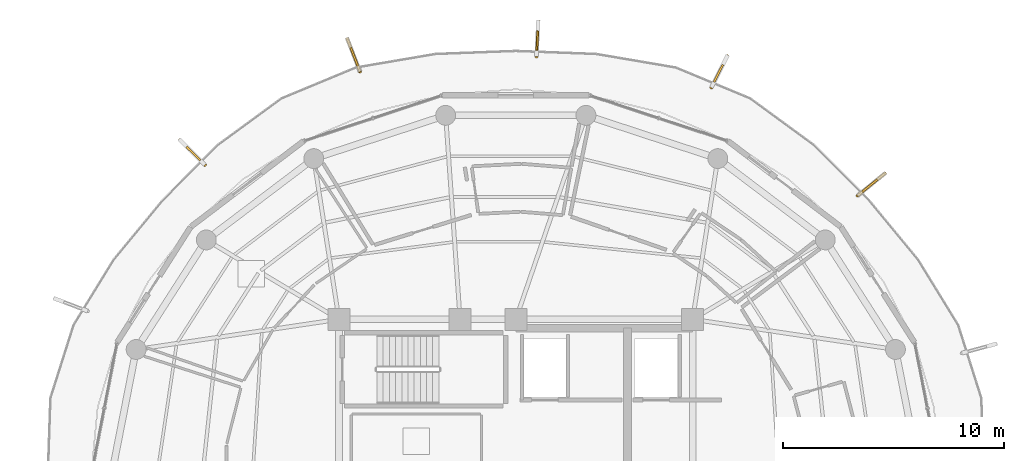
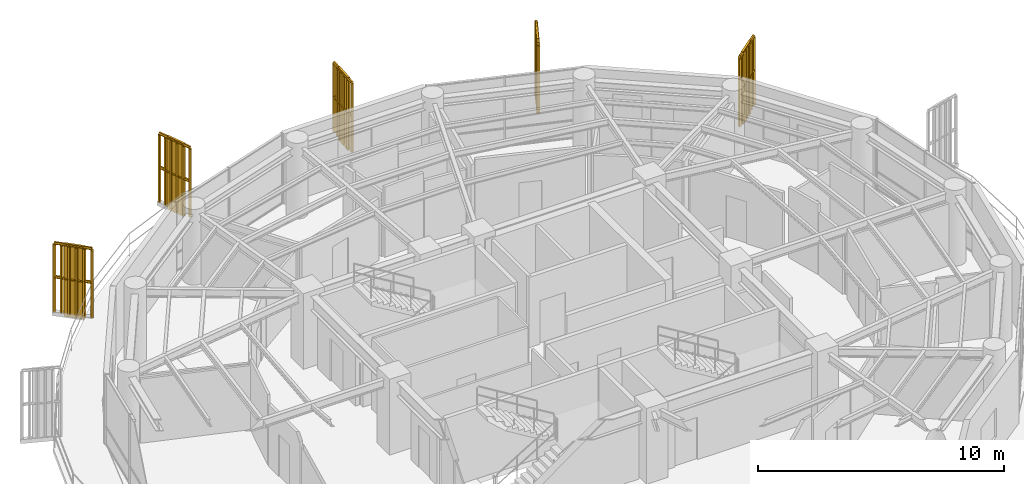
# One storey, part 23 of 23: 5 railings, 5 shading devices.
"""IFC4 building model written with IfcOpenShell, lengths in metres."""

from ifc_helpers import new_model, si_unit, direction, frame, origin, origin_2d, place, context, subcontext, project, spatial, polyline, rectangle, outline, extrude, source, transform, mapped, material, type_object, element, save


model = new_model("IFC4")

# Units and contexts
model_context = context("Model", 3, precision=1e-05, world=origin(), true_north=direction((0.0, 1.0)))
body_context = subcontext(model_context, "Body", "Model", "MODEL_VIEW")
ifc_project = project(units=[si_unit("LENGTHUNIT", "METRE"), si_unit("AREAUNIT", "SQUARE_METRE"), si_unit("VOLUMEUNIT", "CUBIC_METRE"), si_unit("PLANEANGLEUNIT", "RADIAN"), si_unit("MASSUNIT", "GRAM", prefix="KILO")], contexts=[model_context])

# Site, building, storey
site_placement = place(None, origin())
site = spatial("IfcSite", under=ifc_project, at=site_placement, CompositionType="ELEMENT")
building_placement = place(site_placement, origin())
building = spatial("IfcBuilding", under=site, at=building_placement, Name="Kelanora Arch Commons", CompositionType="ELEMENT")
storey_placement = place(building_placement, frame((0.0, 0.0, 256.199951171875)))
storey = spatial("IfcBuildingStorey", under=building, at=storey_placement, Name="L65", CompositionType="ELEMENT", Elevation=256.199951171875)

# Railings
ifc_material_1 = material(Name="Anodised bronze vertical shading fin rib assembly")
railing_type = type_object("IfcRailingType", Name="RAIL-FIN-BRZ", PredefinedType="BALUSTRADE", material=ifc_material_1)
railing_1_placement = place(storey_placement, frame((89.461181640625, 70.59326171875, -0.02001953125)))
element("IfcRailing", 1, at=railing_1_placement, inside=storey, type_object=railing_type, Name="Sweeping Bronze Vertical Fin Blade L65-03", PredefinedType="BALUSTRADE", context=body_context, shape_type="SweptSolid", body=[
    extrude(outline(polyline([(0.06982421875, 0.0), (0.034912109375, 0.060546875), (-0.034912109375, 0.060546875), (-0.06982421875, 0.0), (-0.034912109375, -0.060546875), (0.034912109375, -0.060546875), (0.06982421875, 0.0)])), frame((0.0, 0.0, 3.419921875), z_axis=(0.77544123567, 0.631419741553, 0.0), x_axis=(-0.631419741553, 0.77544123567, 0.0)), (0.0, 0.0, 1.0), 1.58837890625),
    extrude(outline(polyline([(0.06982421875, 0.0), (0.034912109375, 0.060546875), (-0.034912109375, 0.060546875), (-0.06982421875, 0.0), (-0.034912109375, -0.060546875), (0.034912109375, -0.060546875), (0.06982421875, 0.0)])), frame((0.0, 0.0, 1.7451171875), z_axis=(0.77544123567, 0.631419741553, 0.0), x_axis=(-0.631419741553, 0.77544123567, 0.0)), (0.0, 0.0, 1.0), 1.58837890625),
    extrude(outline(polyline([(0.080078125, 0.0), (0.0400390625, 0.0693359375), (-0.0400390625, 0.0693359375), (-0.080078125, 0.0), (-0.0400390625, -0.0693359375), (0.0400390625, -0.0693359375), (0.080078125, 0.0)])), origin(), (0.0, 0.0, 1.0), 3.35009765625),
    extrude(outline(polyline([(0.080078125, 0.0), (0.0400390625, 0.0693359375), (-0.0400390625, 0.0693359375), (-0.080078125, 0.0), (-0.0400390625, -0.0693359375), (0.0400390625, -0.0693359375), (0.080078125, 0.0)])), frame((0.246337890625, 0.20068359375, 0.0)), (0.0, 0.0, 1.0), 3.35009765625),
    extrude(outline(polyline([(0.080078125, 0.0), (0.0400390625, 0.0693359375), (-0.0400390625, 0.0693359375), (-0.080078125, 0.0), (-0.0400390625, -0.0693359375), (0.0400390625, -0.0693359375), (0.080078125, 0.0)])), frame((0.49267578125, 0.401123046875, 0.0)), (0.0, 0.0, 1.0), 3.35009765625),
    extrude(outline(polyline([(0.080078125, 0.0), (0.0400390625, 0.0693359375), (-0.0400390625, 0.0693359375), (-0.080078125, 0.0), (-0.0400390625, -0.0693359375), (0.0400390625, -0.0693359375), (0.080078125, 0.0)])), frame((0.739013671875, 0.601806640625, 0.0)), (0.0, 0.0, 1.0), 3.35009765625),
    extrude(outline(polyline([(0.080078125, 0.0), (0.0400390625, 0.0693359375), (-0.0400390625, 0.0693359375), (-0.080078125, 0.0), (-0.0400390625, -0.0693359375), (0.0400390625, -0.0693359375), (0.080078125, 0.0)])), frame((0.9853515625, 0.80224609375, 0.0)), (0.0, 0.0, 1.0), 3.35009765625),
    extrude(outline(polyline([(0.080078125, 0.0), (0.0400390625, 0.0693359375), (-0.0400390625, 0.0693359375), (-0.080078125, 0.0), (-0.0400390625, -0.0693359375), (0.0400390625, -0.0693359375), (0.080078125, 0.0)])), frame((1.231689453125, 1.0029296875, 0.0)), (0.0, 0.0, 1.0), 3.35009765625),
])
railing_2_placement = place(storey_placement, frame((82.847412109375, 75.487060546875, -0.02001953125)))
element("IfcRailing", 2, at=railing_2_placement, inside=storey, type_object=railing_type, Name="Sweeping Bronze Vertical Fin Blade L65-04", PredefinedType="BALUSTRADE", context=body_context, shape_type="SweptSolid", body=[
    extrude(outline(polyline([(0.06982421875, 0.0), (0.034912109375, 0.060546875), (-0.034912109375, 0.060546875), (-0.06982421875, 0.0), (-0.034912109375, -0.060546875), (0.034912109375, -0.060546875), (0.06982421875, 0.0)])), frame((0.0, 0.0, 3.419921875), z_axis=(0.451451005293, 0.892295909337, 0.0), x_axis=(-0.892295909337, 0.451451005293, 0.0)), (0.0, 0.0, 1.0), 1.58837890625),
    extrude(outline(polyline([(0.06982421875, 0.0), (0.034912109375, 0.060546875), (-0.034912109375, 0.060546875), (-0.06982421875, 0.0), (-0.034912109375, -0.060546875), (0.034912109375, -0.060546875), (0.06982421875, 0.0)])), frame((0.0, 0.0, 1.7451171875), z_axis=(0.451451005293, 0.892295909337, 0.0), x_axis=(-0.892295909337, 0.451451005293, 0.0)), (0.0, 0.0, 1.0), 1.58837890625),
    extrude(outline(polyline([(0.080078125, 0.0), (0.0400390625, 0.0693359375), (-0.0400390625, 0.0693359375), (-0.080078125, 0.0), (-0.0400390625, -0.0693359375), (0.0400390625, -0.0693359375), (0.080078125, 0.0)])), origin(), (0.0, 0.0, 1.0), 3.35009765625),
    extrude(outline(polyline([(0.080078125, 0.0), (0.0400390625, 0.0693359375), (-0.0400390625, 0.0693359375), (-0.080078125, 0.0), (-0.0400390625, -0.0693359375), (0.0400390625, -0.0693359375), (0.080078125, 0.0)])), frame((0.143310546875, 0.283447265625, 0.0)), (0.0, 0.0, 1.0), 3.35009765625),
    extrude(outline(polyline([(0.080078125, 0.0), (0.0400390625, 0.0693359375), (-0.0400390625, 0.0693359375), (-0.080078125, 0.0), (-0.0400390625, -0.0693359375), (0.0400390625, -0.0693359375), (0.080078125, 0.0)])), frame((0.286865234375, 0.56689453125, 0.0)), (0.0, 0.0, 1.0), 3.35009765625),
    extrude(outline(polyline([(0.080078125, 0.0), (0.0400390625, 0.0693359375), (-0.0400390625, 0.0693359375), (-0.080078125, 0.0), (-0.0400390625, -0.0693359375), (0.0400390625, -0.0693359375), (0.080078125, 0.0)])), frame((0.43017578125, 0.850341796875, 0.0)), (0.0, 0.0, 1.0), 3.35009765625),
    extrude(outline(polyline([(0.080078125, 0.0), (0.0400390625, 0.0693359375), (-0.0400390625, 0.0693359375), (-0.080078125, 0.0), (-0.0400390625, -0.0693359375), (0.0400390625, -0.0693359375), (0.080078125, 0.0)])), frame((0.57373046875, 1.1337890625, 0.0)), (0.0, 0.0, 1.0), 3.35009765625),
    extrude(outline(polyline([(0.080078125, 0.0), (0.0400390625, 0.0693359375), (-0.0400390625, 0.0693359375), (-0.080078125, 0.0), (-0.0400390625, -0.0693359375), (0.0400390625, -0.0693359375), (0.080078125, 0.0)])), frame((0.717041015625, 1.417236328125, 0.0)), (0.0, 0.0, 1.0), 3.35009765625),
])
railing_3_placement = place(storey_placement, frame((74.93603515625, 76.8876953125, -0.02001953125)))
element("IfcRailing", 3, at=railing_3_placement, inside=storey, type_object=railing_type, Name="Sweeping Bronze Vertical Fin Blade L65-05", PredefinedType="BALUSTRADE", context=body_context, shape_type="SweptSolid", body=[
    extrude(outline(polyline([(0.06982421875, 0.0), (0.034912109375, 0.060546875), (-0.034912109375, 0.060546875), (-0.06982421875, 0.0), (-0.034912109375, -0.060546875), (0.034912109375, -0.060546875), (0.06982421875, 0.0)])), frame((0.0, 0.0, 3.419921875), z_axis=(0.049492979353, 0.998774471537, 0.0), x_axis=(-0.998774471537, 0.049492979353, 0.0)), (0.0, 0.0, 1.0), 1.58837890625),
    extrude(outline(polyline([(0.06982421875, 0.0), (0.034912109375, 0.060546875), (-0.034912109375, 0.060546875), (-0.06982421875, 0.0), (-0.034912109375, -0.060546875), (0.034912109375, -0.060546875), (0.06982421875, 0.0)])), frame((0.0, 0.0, 1.7451171875), z_axis=(0.049492979353, 0.998774471537, 0.0), x_axis=(-0.998774471537, 0.049492979353, 0.0)), (0.0, 0.0, 1.0), 1.58837890625),
    extrude(outline(polyline([(0.080078125, 0.0), (0.0400390625, 0.0693359375), (-0.0400390625, 0.0693359375), (-0.080078125, 0.0), (-0.0400390625, -0.0693359375), (0.0400390625, -0.0693359375), (0.080078125, 0.0)])), origin(), (0.0, 0.0, 1.0), 3.35009765625),
    extrude(outline(polyline([(0.080078125, 0.0), (0.0400390625, 0.0693359375), (-0.0400390625, 0.0693359375), (-0.080078125, 0.0), (-0.0400390625, -0.0693359375), (0.0400390625, -0.0693359375), (0.080078125, 0.0)])), frame((0.015625, 0.3173828125, 0.0)), (0.0, 0.0, 1.0), 3.35009765625),
    extrude(outline(polyline([(0.080078125, 0.0), (0.0400390625, 0.0693359375), (-0.0400390625, 0.0693359375), (-0.080078125, 0.0), (-0.0400390625, -0.0693359375), (0.0400390625, -0.0693359375), (0.080078125, 0.0)])), frame((0.031494140625, 0.634521484375, 0.0)), (0.0, 0.0, 1.0), 3.35009765625),
    extrude(outline(polyline([(0.080078125, 0.0), (0.0400390625, 0.0693359375), (-0.0400390625, 0.0693359375), (-0.080078125, 0.0), (-0.0400390625, -0.0693359375), (0.0400390625, -0.0693359375), (0.080078125, 0.0)])), frame((0.047119140625, 0.951904296875, 0.0)), (0.0, 0.0, 1.0), 3.35009765625),
    extrude(outline(polyline([(0.080078125, 0.0), (0.0400390625, 0.0693359375), (-0.0400390625, 0.0693359375), (-0.080078125, 0.0), (-0.0400390625, -0.0693359375), (0.0400390625, -0.0693359375), (0.080078125, 0.0)])), frame((0.06298828125, 1.26904296875, 0.0)), (0.0, 0.0, 1.0), 3.35009765625),
    extrude(outline(polyline([(0.080078125, 0.0), (0.0400390625, 0.0693359375), (-0.0400390625, 0.0693359375), (-0.080078125, 0.0), (-0.0400390625, -0.0693359375), (0.0400390625, -0.0693359375), (0.080078125, 0.0)])), frame((0.07861328125, 1.58642578125, 0.0)), (0.0, 0.0, 1.0), 3.35009765625),
])
railing_4_placement = place(storey_placement, frame((66.95166015625, 76.20654296875, -0.02001953125)))
element("IfcRailing", 4, at=railing_4_placement, inside=storey, type_object=railing_type, Name="Sweeping Bronze Vertical Fin Blade L65-06", PredefinedType="BALUSTRADE", context=body_context, shape_type="SweptSolid", body=[
    extrude(outline(polyline([(0.06982421875, 0.0), (0.034912109375, 0.060546875), (-0.034912109375, 0.060546875), (-0.06982421875, 0.0), (-0.034912109375, -0.060546875), (0.034912109375, -0.060546875), (0.06982421875, 0.0)])), frame((0.0, 0.0, 3.419921875), z_axis=(-0.360925103269, 0.932594804741, 0.0), x_axis=(-0.932594804741, -0.360925103269, 0.0)), (0.0, 0.0, 1.0), 1.58837890625),
    extrude(outline(polyline([(0.06982421875, 0.0), (0.034912109375, 0.060546875), (-0.034912109375, 0.060546875), (-0.06982421875, 0.0), (-0.034912109375, -0.060546875), (0.034912109375, -0.060546875), (0.06982421875, 0.0)])), frame((0.0, 0.0, 1.7451171875), z_axis=(-0.360925103269, 0.932594804741, 0.0), x_axis=(-0.932594804741, -0.360925103269, 0.0)), (0.0, 0.0, 1.0), 1.58837890625),
    extrude(outline(polyline([(0.080078125, 0.0), (0.0400390625, 0.0693359375), (-0.0400390625, 0.0693359375), (-0.080078125, 0.0), (-0.0400390625, -0.0693359375), (0.0400390625, -0.0693359375), (0.080078125, 0.0)])), origin(), (0.0, 0.0, 1.0), 3.35009765625),
    extrude(outline(polyline([(0.080078125, 0.0), (0.0400390625, 0.0693359375), (-0.0400390625, 0.0693359375), (-0.080078125, 0.0), (-0.0400390625, -0.0693359375), (0.0400390625, -0.0693359375), (0.080078125, 0.0)])), frame((-0.11474609375, 0.296142578125, 0.0)), (0.0, 0.0, 1.0), 3.35009765625),
    extrude(outline(polyline([(0.080078125, 0.0), (0.0400390625, 0.0693359375), (-0.0400390625, 0.0693359375), (-0.080078125, 0.0), (-0.0400390625, -0.0693359375), (0.0400390625, -0.0693359375), (0.080078125, 0.0)])), frame((-0.229248046875, 0.592529296875, 0.0)), (0.0, 0.0, 1.0), 3.35009765625),
    extrude(outline(polyline([(0.080078125, 0.0), (0.0400390625, 0.0693359375), (-0.0400390625, 0.0693359375), (-0.080078125, 0.0), (-0.0400390625, -0.0693359375), (0.0400390625, -0.0693359375), (0.080078125, 0.0)])), frame((-0.343994140625, 0.888671875, 0.0)), (0.0, 0.0, 1.0), 3.35009765625),
    extrude(outline(polyline([(0.080078125, 0.0), (0.0400390625, 0.0693359375), (-0.0400390625, 0.0693359375), (-0.080078125, 0.0), (-0.0400390625, -0.0693359375), (0.0400390625, -0.0693359375), (0.080078125, 0.0)])), frame((-0.45849609375, 1.18505859375, 0.0)), (0.0, 0.0, 1.0), 3.35009765625),
    extrude(outline(polyline([(0.080078125, 0.0), (0.0400390625, 0.0693359375), (-0.0400390625, 0.0693359375), (-0.080078125, 0.0), (-0.0400390625, -0.0693359375), (0.0400390625, -0.0693359375), (0.080078125, 0.0)])), frame((-0.5732421875, 1.481201171875, 0.0)), (0.0, 0.0, 1.0), 3.35009765625),
])
railing_5_placement = place(storey_placement, frame((59.9287109375, 71.991455078125, -0.02001953125)))
element("IfcRailing", 5, at=railing_5_placement, inside=storey, type_object=railing_type, Name="Sweeping Bronze Vertical Fin Blade L65-07", PredefinedType="BALUSTRADE", context=body_context, shape_type="SweptSolid", body=[
    extrude(outline(polyline([(0.06982421875, 0.0), (0.034912109375, 0.060546875), (-0.034912109375, 0.060546875), (-0.06982421875, 0.0), (-0.034912109375, -0.060546875), (0.034912109375, -0.060546875), (0.06982421875, 0.0)])), frame((0.0, 0.0, 3.419921875), z_axis=(-0.709102294726, 0.705105620184, 0.0), x_axis=(-0.705105620184, -0.709102294726, 0.0)), (0.0, 0.0, 1.0), 1.588134765625),
    extrude(outline(polyline([(0.06982421875, 0.0), (0.034912109375, 0.060546875), (-0.034912109375, 0.060546875), (-0.06982421875, 0.0), (-0.034912109375, -0.060546875), (0.034912109375, -0.060546875), (0.06982421875, 0.0)])), frame((0.0, 0.0, 1.7451171875), z_axis=(-0.709102294726, 0.705105620184, 0.0), x_axis=(-0.705105620184, -0.709102294726, 0.0)), (0.0, 0.0, 1.0), 1.588134765625),
    extrude(outline(polyline([(0.080078125, 0.0), (0.0400390625, 0.0693359375), (-0.0400390625, 0.0693359375), (-0.080078125, 0.0), (-0.0400390625, -0.0693359375), (0.0400390625, -0.0693359375), (0.080078125, 0.0)])), origin(), (0.0, 0.0, 1.0), 3.35009765625),
    extrude(outline(polyline([(0.080078125, 0.0), (0.0400390625, 0.0693359375), (-0.0400390625, 0.0693359375), (-0.080078125, 0.0), (-0.0400390625, -0.0693359375), (0.0400390625, -0.0693359375), (0.080078125, 0.0)])), frame((-0.225341796875, 0.223876953125, 0.0)), (0.0, 0.0, 1.0), 3.35009765625),
    extrude(outline(polyline([(0.080078125, 0.0), (0.0400390625, 0.0693359375), (-0.0400390625, 0.0693359375), (-0.080078125, 0.0), (-0.0400390625, -0.0693359375), (0.0400390625, -0.0693359375), (0.080078125, 0.0)])), frame((-0.450439453125, 0.447998046875, 0.0)), (0.0, 0.0, 1.0), 3.35009765625),
    extrude(outline(polyline([(0.080078125, 0.0), (0.0400390625, 0.0693359375), (-0.0400390625, 0.0693359375), (-0.080078125, 0.0), (-0.0400390625, -0.0693359375), (0.0400390625, -0.0693359375), (0.080078125, 0.0)])), frame((-0.67578125, 0.671875, 0.0)), (0.0, 0.0, 1.0), 3.35009765625),
    extrude(outline(polyline([(0.080078125, 0.0), (0.0400390625, 0.0693359375), (-0.0400390625, 0.0693359375), (-0.080078125, 0.0), (-0.0400390625, -0.0693359375), (0.0400390625, -0.0693359375), (0.080078125, 0.0)])), frame((-0.90087890625, 0.89599609375, 0.0)), (0.0, 0.0, 1.0), 3.35009765625),
    extrude(outline(polyline([(0.080078125, 0.0), (0.0400390625, 0.0693359375), (-0.0400390625, 0.0693359375), (-0.080078125, 0.0), (-0.0400390625, -0.0693359375), (0.0400390625, -0.0693359375), (0.080078125, 0.0)])), frame((-1.126220703125, 1.119873046875, 0.0)), (0.0, 0.0, 1.0), 3.35009765625),
])

# Shading devices
ifc_material_2 = material(Name="Terracotta ceramic-clad extruded aluminium fin", Category="masonry")
shading_device_type = type_object("IfcShadingDeviceType", Name="SHD-FIN-FLARE", PredefinedType="USERDEFINED", material=ifc_material_2)
shared_shape = source(origin(), body_context, "Body", "SweptSolid", [
    extrude(rectangle(XDim=0.8798828125, YDim=0.090087890625, at=origin_2d()), origin(), (0.0, 0.0, 1.0), 3.610107421875),
])
for number, where, z_axis, x_axis, name in (
    (6, (90.01953125, 71.048095703125, -0.14013671875), (0.0, 0.0, 1.0), (0.775385539511, 0.631488135373, 0.0), "Sweeping Terracotta Fin L65-03"),
    (7, (83.172607421875, 76.12939453125, -0.14013671875), (0.0, 0.0, 1.0), (0.451500573218, 0.892270829056, 0.0), "Sweeping Terracotta Fin L65-04"),
    (8, (74.9716796875, 77.60693359375, -0.14013671875), (0.0, 0.0, 1.0), (0.049547056062, 0.998771790368, 0.0), "Sweeping Terracotta Fin L65-05"),
    (9, (66.691650390625, 76.8779296875, -0.14013671875), (0.0, 0.0, 1.0), (-0.360973597208, 0.93257603557, 0.0), "Sweeping Terracotta Fin L65-06"),
    (10, (59.418212890625, 72.4990234375, -0.14013671875), (0.0, 0.0, 1.0), (-0.709078636179, 0.705129412033, 0.0), "Sweeping Terracotta Fin L65-07"),
):
    element("IfcShadingDevice", number, at=place(storey_placement, frame(where, z_axis=z_axis, x_axis=x_axis)), inside=storey, type_object=shading_device_type, Name=name, ObjectType="FIN", PredefinedType="USERDEFINED", context=body_context, shape_type="MappedRepresentation", body=[
        mapped(shared_shape, transform((0.0, 0.0, 0.0), scale=1.0)),
    ])

save(model, "model.ifc")
